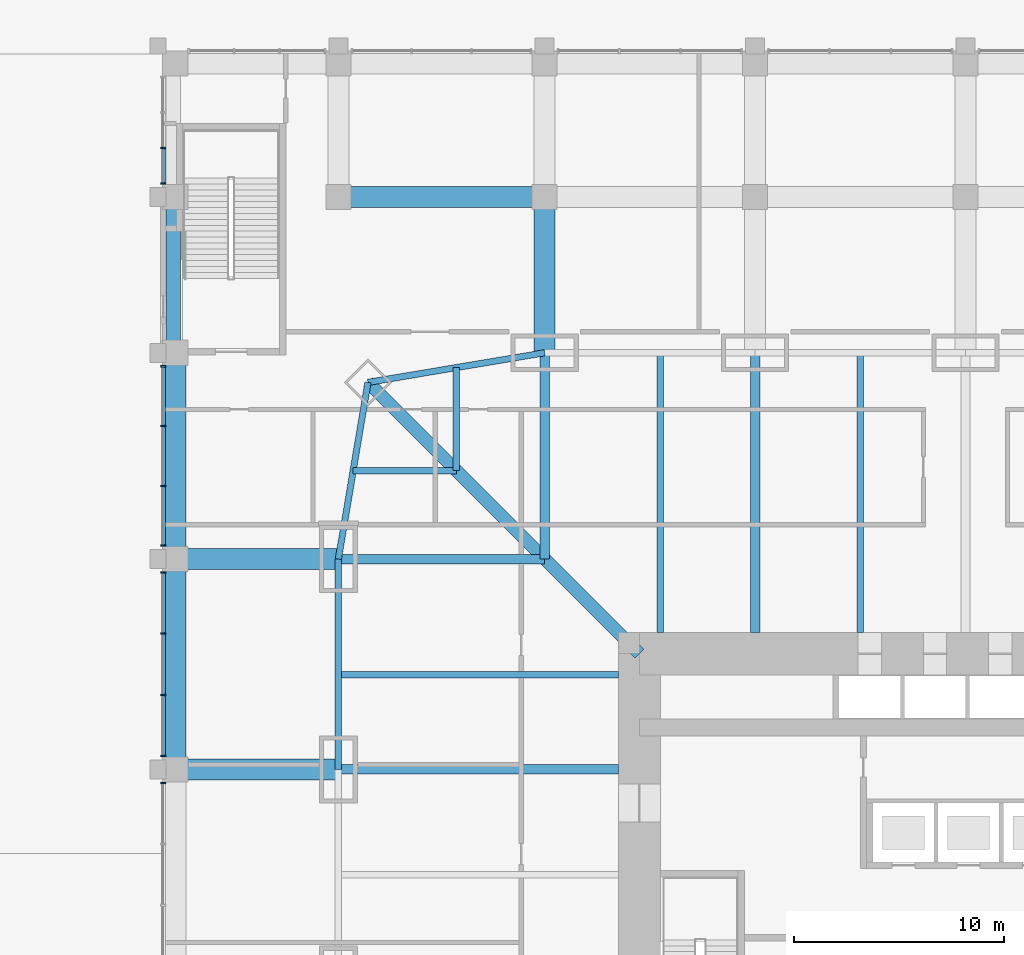
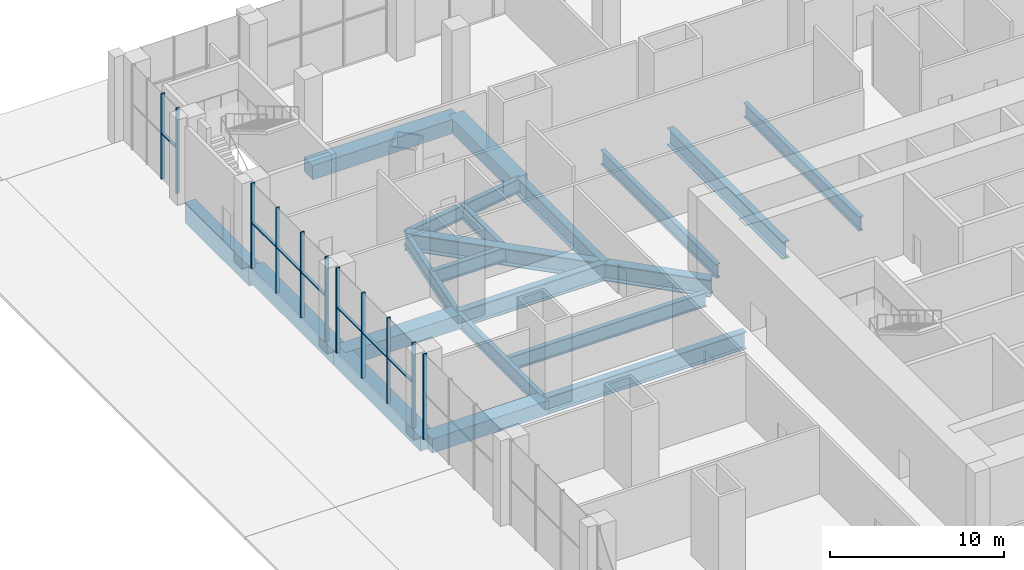
# One storey, part 11 of 31: 20 beams, 18 members, 4 elements without a shape of their own.
"""IFC4 building model written with IfcOpenShell, lengths in metres."""

from ifc_helpers import new_model, si_unit, direction, frame, origin, origin_2d, place, context, subcontext, project, spatial, rectangle, i_section, extrude, material, material_profile, profile_set, type_object, element, aggregate, save


model = new_model("IFC4")

# Units and contexts
model_context = context("Model", 3, precision=1e-05, world=origin(), true_north=direction((0.0, 1.0)))
body_context = subcontext(model_context, "Body", "Model", "MODEL_VIEW")
ifc_project = project(units=[si_unit("LENGTHUNIT", "METRE"), si_unit("AREAUNIT", "SQUARE_METRE"), si_unit("VOLUMEUNIT", "CUBIC_METRE"), si_unit("PLANEANGLEUNIT", "RADIAN"), si_unit("MASSUNIT", "GRAM", prefix="KILO")], contexts=[model_context])

# Site, building, storey
site_placement = place(None, origin())
site = spatial("IfcSite", under=ifc_project, at=site_placement, CompositionType="ELEMENT")
building_placement = place(site_placement, origin())
building = spatial("IfcBuilding", under=site, at=building_placement, Name="Khuree Lantern Residences", CompositionType="ELEMENT")
storey_placement = place(building_placement, origin())
storey = spatial("IfcBuildingStorey", under=building, at=storey_placement, Name="L00", CompositionType="ELEMENT", Elevation=0.0)

# Beams
ifc_material_1 = material(Name="Steel S355", Category="steel")
ifc_material_profile_1 = material_profile(ifc_material_1, i_section(OverallWidth=0.300048828125, OverallDepth=1.0, WebThickness=0.01904296875, FlangeThickness=0.035888671875, FilletRadius=0.030029296875, at=origin_2d()), Name="HE 1000 B")
ifc_profile_set_1 = profile_set([ifc_material_profile_1], Name="Steel S355")
beam_type_1 = type_object("IfcBeamType", Name="B-00 SECONDARY BEAM HE 1000 B", PredefinedType="BEAM", material=ifc_profile_set_1)
for number, where, z_axis, x_axis, name in (
    (1, (-14.5, 29.800048828125, -0.800048828125), (0.0, -1.0, 0.0), (1.0, 0.0, 0.0), "Secondary beam N1"),
    (2, (-5.0, 29.800048828125, -0.800048828125), (0.0, -1.0, 0.0), (1.0, 0.0, 0.0), "Secondary beam N2"),
    (3, (-29.800048828125, 14.5, -0.800048828125), (1.0, 0.0, 0.0), (0.0, 1.0, 0.0), "Secondary beam W5"),
):
    element("IfcBeam", number, at=place(storey_placement, frame(where, z_axis=z_axis, x_axis=x_axis)), inside=storey, type_object=beam_type_1, Name=name, PredefinedType="BEAM", context=body_context, shape_type="SweptSolid", body=[
        extrude(i_section(OverallWidth=0.300048828125, OverallDepth=1.0, WebThickness=0.01904296875, FlangeThickness=0.035888671875, FilletRadius=0.030029296875, at=origin_2d()), origin(), (0.0, 0.0, 1.0), 13.300048828125),
    ])
for number, where, z_axis, x_axis, name in (
    (4, (-29.09716796875, 24.197021484375, -0.800048828125), (1.0, 0.0, 0.0), (0.0, 1.0, 0.0), "Secondary beam W6"),
    (5, (-24.197021484375, 29.09716796875, -0.800048828125), (0.0, -1.0, 0.0), (1.0, 0.0, 0.0), "Secondary beam N6"),
):
    element("IfcBeam", number, at=place(storey_placement, frame(where, z_axis=z_axis, x_axis=x_axis)), inside=storey, type_object=beam_type_1, Name=name, PredefinedType="BEAM", context=body_context, shape_type="SweptSolid", body=[
        extrude(i_section(OverallWidth=0.300048828125, OverallDepth=1.0, WebThickness=0.01904296875, FlangeThickness=0.035888671875, FilletRadius=0.030029296875, at=origin_2d()), origin(), (0.0, 0.0, 1.0), 4.900146484375),
    ])
ifc_material_profile_2 = material_profile(ifc_material_1, i_section(OverallWidth=0.300048828125, OverallDepth=1.0, WebThickness=0.01904296875, FlangeThickness=0.035888671875, FilletRadius=0.030029296875, at=origin_2d()), Name="HE 1000 B")
ifc_profile_set_2 = profile_set([ifc_material_profile_2], Name="Steel S355")
beam_type_2 = type_object("IfcBeamType", Name="E-00 SPANDREL BEAM HE 1000 B", PredefinedType="SPANDREL", material=ifc_profile_set_2)
beam_1_placement = place(storey_placement, frame((-29.800048828125, 10.0, -0.800048828125), z_axis=(0.0, 1.0, 0.0), x_axis=(-1.0, 0.0, 0.0)))
element("IfcBeam", 6, at=beam_1_placement, inside=storey, type_object=beam_type_2, Name="Spandrel beam W5", PredefinedType="SPANDREL", context=body_context, shape_type="SweptSolid", body=[
    extrude(i_section(OverallWidth=0.300048828125, OverallDepth=1.0, WebThickness=0.01904296875, FlangeThickness=0.035888671875, FilletRadius=0.030029296875, at=origin_2d()), origin(), (0.0, 0.0, 1.0), 10.0),
])
for number, where, z_axis, x_axis, name in (
    (7, (-29.800048828125, 20.0, -0.800048828125), (0.165199022349, 0.986260251158, 0.0), (-0.986260251158, 0.165199022349, 0.0), "Spandrel beam W6"),
    (8, (-28.39404296875, 28.39404296875, -0.800048828125), (0.986260251158, 0.165199022349, 0.0), (-0.165199022349, 0.986260251158, 0.0), "Spandrel beam N6"),
):
    element("IfcBeam", number, at=place(storey_placement, frame(where, z_axis=z_axis, x_axis=x_axis)), inside=storey, type_object=beam_type_2, Name=name, PredefinedType="SPANDREL", context=body_context, shape_type="SweptSolid", body=[
        extrude(i_section(OverallWidth=0.300048828125, OverallDepth=1.0, WebThickness=0.01904296875, FlangeThickness=0.035888671875, FilletRadius=0.030029296875, at=origin_2d()), origin(), (0.0, 0.0, 1.0), 8.510986328125),
    ])
ifc_material_profile_3 = material_profile(ifc_material_1, i_section(OverallWidth=0.449951171875, OverallDepth=1.199951171875, WebThickness=0.02490234375, FlangeThickness=0.044921875, at=origin_2d()), Name="WELDED I 1200X450X25X45")
ifc_profile_set_3 = profile_set([ifc_material_profile_3], Name="Steel S355")
beam_type_3 = type_object("IfcBeamType", Name="G-00 GIRDER WELDED I 1200X450X25X45", PredefinedType="BEAM", material=ifc_profile_set_3)
beam_2_placement = place(storey_placement, frame((-20.0, 29.800048828125, -0.89990234375), z_axis=(0.0, -1.0, 0.0), x_axis=(1.0, 0.0, 0.0)))
element("IfcBeam", 9, at=beam_2_placement, inside=storey, type_object=beam_type_3, Name="Girder N1", PredefinedType="BEAM", context=body_context, shape_type="SweptSolid", body=[
    extrude(i_section(OverallWidth=0.449951171875, OverallDepth=1.199951171875, WebThickness=0.02490234375, FlangeThickness=0.044921875, at=origin_2d()), origin(), (0.0, 0.0, 1.0), 9.800048828125),
])
for number, where, z_axis, x_axis, name in (
    (10, (-10.0, 29.800048828125, -0.89990234375), (0.0, -1.0, 0.0), (1.0, 0.0, 0.0), "Girder N2"),
    (11, (-29.800048828125, 10.0, -0.89990234375), (1.0, 0.0, 0.0), (0.0, 1.0, 0.0), "Girder W4"),
):
    element("IfcBeam", number, at=place(storey_placement, frame(where, z_axis=z_axis, x_axis=x_axis)), inside=storey, type_object=beam_type_3, Name=name, PredefinedType="BEAM", context=body_context, shape_type="SweptSolid", body=[
        extrude(i_section(OverallWidth=0.449951171875, OverallDepth=1.199951171875, WebThickness=0.02490234375, FlangeThickness=0.044921875, at=origin_2d()), origin(), (0.0, 0.0, 1.0), 13.300048828125),
    ])
beam_3_placement = place(storey_placement, frame((-29.800048828125, 20.0, -0.89990234375), z_axis=(1.0, 0.0, 0.0), x_axis=(0.0, 1.0, 0.0)))
element("IfcBeam", 12, at=beam_3_placement, inside=storey, type_object=beam_type_3, Name="Girder W5", PredefinedType="BEAM", context=body_context, shape_type="SweptSolid", body=[
    extrude(i_section(OverallWidth=0.449951171875, OverallDepth=1.199951171875, WebThickness=0.02490234375, FlangeThickness=0.044921875, at=origin_2d()), origin(), (0.0, 0.0, 1.0), 9.800048828125),
])
ifc_material_profile_4 = material_profile(ifc_material_1, i_section(OverallWidth=0.60009765625, OverallDepth=1.199951171875, WebThickness=0.030029296875, FlangeThickness=0.06005859375, at=origin_2d()), Name="WELDED I 1200X600X30X60")
ifc_profile_set_4 = profile_set([ifc_material_profile_4], Name="Steel S355")
beam_type_4 = type_object("IfcBeamType", Name="GD-00 CORNER GIRDER WELDED I 1200X600X30X60", PredefinedType="BEAM", material=ifc_profile_set_4)
beam_4_placement = place(storey_placement, frame((-28.39404296875, 28.39404296875, -0.89990234375), z_axis=(0.707106781187, -0.707106781187, 0.0), x_axis=(0.707106781187, 0.707106781187, 0.0)))
element("IfcBeam", 13, at=beam_4_placement, inside=storey, type_object=beam_type_4, Name="Corner girder NW", PredefinedType="BEAM", context=body_context, shape_type="SweptSolid", body=[
    extrude(i_section(OverallWidth=0.60009765625, OverallDepth=1.199951171875, WebThickness=0.030029296875, FlangeThickness=0.06005859375, at=origin_2d()), origin(), (0.0, 0.0, 1.0), 18.23486328125),
])

# Curtain wall, members
ifc_material_2 = material(Name="Bronze anodised aluminium", Category="aluminium")
curtain_wall_type = type_object("IfcCurtainWallType", Name="CW-P PODIUM STOREFRONT CURTAIN WALL", PredefinedType="USERDEFINED", material=ifc_material_2)
curtain_wall_1_placement = place(storey_placement, origin())
curtain_wall_1 = element("IfcCurtainWall", 14, at=curtain_wall_1_placement, inside=storey, type_object=curtain_wall_type, Name="L00 WEST FACE BAY 1 STOREFRONT", ObjectType="Storefront curtain wall", PredefinedType="USERDEFINED")
ifc_material_profile_5 = material_profile(ifc_material_2, rectangle(XDim=0.074951171875, YDim=0.25, at=origin_2d()), Name="M5 75X250")
ifc_profile_set_5 = profile_set([ifc_material_profile_5], Name="Bronze anodised aluminium")
member_type_1 = type_object("IfcMemberType", Name="MULLION M5 STOREFRONT 75X250", PredefinedType="MULLION", material=ifc_profile_set_5)
member_1_placement = place(storey_placement, frame((-38.125, 39.529052734375, 0.0), z_axis=(0.0, 0.0, 1.0), x_axis=(0.0, -1.0, 0.0)))
member_1 = element("IfcMember", 15, at=member_1_placement, type_object=member_type_1, Name="L00 WEST FACE BAY 1 MULLION 3", PredefinedType="MULLION", context=body_context, shape_type="SweptSolid", body=[
    extrude(rectangle(XDim=0.074951171875, YDim=0.25, at=origin_2d()), origin(), (0.0, 0.0, 1.0), 6.0),
])
member_2_placement = place(storey_placement, frame((-38.125, 37.83740234375, 0.0), z_axis=(0.0, 0.0, 1.0), x_axis=(0.0, -1.0, 0.0)))
member_2 = element("IfcMember", 16, at=member_2_placement, type_object=member_type_1, Name="L00 WEST FACE BAY 1 MULLION 4", PredefinedType="MULLION", context=body_context, shape_type="SweptSolid", body=[
    extrude(rectangle(XDim=0.074951171875, YDim=0.25, at=origin_2d()), origin(), (0.0, 0.0, 1.0), 6.0),
])

curtain_wall_2_placement = place(storey_placement, origin())
curtain_wall_2 = element("IfcCurtainWall", 17, at=curtain_wall_2_placement, inside=storey, type_object=curtain_wall_type, Name="L00 WEST FACE BAY 3 STOREFRONT", ObjectType="Storefront curtain wall", PredefinedType="USERDEFINED")
member_3_placement = place(storey_placement, frame((-38.125, 29.16259765625, 0.0), z_axis=(0.0, 0.0, 1.0), x_axis=(0.0, -1.0, 0.0)))
member_3 = element("IfcMember", 18, at=member_3_placement, type_object=member_type_1, Name="L00 WEST FACE BAY 3 MULLION 1", PredefinedType="MULLION", context=body_context, shape_type="SweptSolid", body=[
    extrude(rectangle(XDim=0.074951171875, YDim=0.25, at=origin_2d()), origin(), (0.0, 0.0, 1.0), 6.0),
])
member_4_placement = place(storey_placement, frame((-38.125, 26.32080078125, 0.0), z_axis=(0.0, 0.0, 1.0), x_axis=(0.0, -1.0, 0.0)))
member_4 = element("IfcMember", 19, at=member_4_placement, type_object=member_type_1, Name="L00 WEST FACE BAY 3 MULLION 2", PredefinedType="MULLION", context=body_context, shape_type="SweptSolid", body=[
    extrude(rectangle(XDim=0.074951171875, YDim=0.25, at=origin_2d()), origin(), (0.0, 0.0, 1.0), 6.0),
])
member_5_placement = place(storey_placement, frame((-38.125, 23.479248046875, 0.0), z_axis=(0.0, 0.0, 1.0), x_axis=(0.0, -1.0, 0.0)))
member_5 = element("IfcMember", 20, at=member_5_placement, type_object=member_type_1, Name="L00 WEST FACE BAY 3 MULLION 3", PredefinedType="MULLION", context=body_context, shape_type="SweptSolid", body=[
    extrude(rectangle(XDim=0.074951171875, YDim=0.25, at=origin_2d()), origin(), (0.0, 0.0, 1.0), 6.0),
])
member_6_placement = place(storey_placement, frame((-38.125, 20.637451171875, 0.0), z_axis=(0.0, 0.0, 1.0), x_axis=(0.0, -1.0, 0.0)))
member_6 = element("IfcMember", 21, at=member_6_placement, type_object=member_type_1, Name="L00 WEST FACE BAY 3 MULLION 4", PredefinedType="MULLION", context=body_context, shape_type="SweptSolid", body=[
    extrude(rectangle(XDim=0.074951171875, YDim=0.25, at=origin_2d()), origin(), (0.0, 0.0, 1.0), 6.0),
])

curtain_wall_3_placement = place(storey_placement, origin())
curtain_wall_3 = element("IfcCurtainWall", 22, at=curtain_wall_3_placement, inside=storey, type_object=curtain_wall_type, Name="L00 WEST FACE BAY 4 STOREFRONT", ObjectType="Storefront curtain wall", PredefinedType="USERDEFINED")
member_7_placement = place(storey_placement, frame((-38.125, 19.362548828125, 0.0), z_axis=(0.0, 0.0, 1.0), x_axis=(0.0, -1.0, 0.0)))
member_7 = element("IfcMember", 23, at=member_7_placement, type_object=member_type_1, Name="L00 WEST FACE BAY 4 MULLION 1", PredefinedType="MULLION", context=body_context, shape_type="SweptSolid", body=[
    extrude(rectangle(XDim=0.074951171875, YDim=0.25, at=origin_2d()), origin(), (0.0, 0.0, 1.0), 6.0),
])
member_8_placement = place(storey_placement, frame((-38.125, 16.4541015625, 0.0), z_axis=(0.0, 0.0, 1.0), x_axis=(0.0, -1.0, 0.0)))
member_8 = element("IfcMember", 24, at=member_8_placement, type_object=member_type_1, Name="L00 WEST FACE BAY 4 MULLION 2", PredefinedType="MULLION", context=body_context, shape_type="SweptSolid", body=[
    extrude(rectangle(XDim=0.074951171875, YDim=0.25, at=origin_2d()), origin(), (0.0, 0.0, 1.0), 6.0),
])
member_9_placement = place(storey_placement, frame((-38.125, 13.5458984375, 0.0), z_axis=(0.0, 0.0, 1.0), x_axis=(0.0, -1.0, 0.0)))
member_9 = element("IfcMember", 25, at=member_9_placement, type_object=member_type_1, Name="L00 WEST FACE BAY 4 MULLION 3", PredefinedType="MULLION", context=body_context, shape_type="SweptSolid", body=[
    extrude(rectangle(XDim=0.074951171875, YDim=0.25, at=origin_2d()), origin(), (0.0, 0.0, 1.0), 6.0),
])
member_10_placement = place(storey_placement, frame((-38.125, 10.637451171875, 0.0), z_axis=(0.0, 0.0, 1.0), x_axis=(0.0, -1.0, 0.0)))
member_10 = element("IfcMember", 26, at=member_10_placement, type_object=member_type_1, Name="L00 WEST FACE BAY 4 MULLION 4", PredefinedType="MULLION", context=body_context, shape_type="SweptSolid", body=[
    extrude(rectangle(XDim=0.074951171875, YDim=0.25, at=origin_2d()), origin(), (0.0, 0.0, 1.0), 6.0),
])

# Curtain wall, member
curtain_wall_4_placement = place(storey_placement, origin())
curtain_wall_4 = element("IfcCurtainWall", 27, at=curtain_wall_4_placement, inside=storey, type_object=curtain_wall_type, Name="L00 WEST FACE BAY 5 STOREFRONT", ObjectType="Storefront curtain wall", PredefinedType="USERDEFINED")
member_11_placement = place(storey_placement, frame((-38.125, 9.362548828125, 0.0), z_axis=(0.0, 0.0, 1.0), x_axis=(0.0, -1.0, 0.0)))
member_11 = element("IfcMember", 28, at=member_11_placement, type_object=member_type_1, Name="L00 WEST FACE BAY 5 MULLION 1", PredefinedType="MULLION", context=body_context, shape_type="SweptSolid", body=[
    extrude(rectangle(XDim=0.074951171875, YDim=0.25, at=origin_2d()), origin(), (0.0, 0.0, 1.0), 6.0),
])
aggregate(curtain_wall_4, [member_11])

# Beams
ifc_material_3 = material(Name="Concrete C40/50", Category="concrete")
ifc_material_profile_6 = material_profile(ifc_material_3, rectangle(XDim=1.0, YDim=1.0, at=origin_2d()), Name="RC 1000X1000")
ifc_profile_set_6 = profile_set([ifc_material_profile_6], Name="Concrete C40/50")
beam_type_5 = type_object("IfcBeamType", Name="RB3 PODIUM BEAM RC 1000X1000", PredefinedType="BEAM", material=ifc_profile_set_6)
for number, where, z_axis, x_axis, name in (
    (29, (-37.550048828125, 10.0, -0.800048828125), (1.0, 0.0, 0.0), (0.0, 1.0, 0.0), "Podium beam RB-31"),
    (30, (-37.550048828125, 20.0, -0.800048828125), (1.0, 0.0, 0.0), (0.0, 1.0, 0.0), "Podium beam RB-34"),
):
    element("IfcBeam", number, at=place(storey_placement, frame(where, z_axis=z_axis, x_axis=x_axis)), inside=storey, type_object=beam_type_5, Name=name, PredefinedType="BEAM", context=body_context, shape_type="SweptSolid", body=[
        extrude(rectangle(XDim=1.0, YDim=1.0, at=origin_2d()), origin(), (0.0, 0.0, 1.0), 7.75),
    ])
beam_5_placement = place(storey_placement, frame((-29.800048828125, 37.199951171875, -0.800048828125), z_axis=(1.0, 0.0, 0.0), x_axis=(0.0, 1.0, 0.0)))
element("IfcBeam", 31, at=beam_5_placement, inside=storey, type_object=beam_type_5, Name="Podium beam RB-38", PredefinedType="BEAM", context=body_context, shape_type="SweptSolid", body=[
    extrude(rectangle(XDim=1.0, YDim=1.0, at=origin_2d()), origin(), (0.0, 0.0, 1.0), 9.800048828125),
])
beam_6_placement = place(storey_placement, frame((-37.550048828125, 10.0, -0.800048828125), z_axis=(0.0, 1.0, 0.0), x_axis=(-1.0, 0.0, 0.0)))
element("IfcBeam", 32, at=beam_6_placement, inside=storey, type_object=beam_type_5, Name="Podium beam RB-60", PredefinedType="BEAM", context=body_context, shape_type="SweptSolid", body=[
    extrude(rectangle(XDim=1.0, YDim=1.0, at=origin_2d()), origin(), (0.0, 0.0, 1.0), 10.0),
])
beam_7_placement = place(storey_placement, frame((-37.550048828125, 20.0, -0.800048828125), z_axis=(0.0, 1.0, 0.0), x_axis=(-1.0, 0.0, 0.0)))
element("IfcBeam", 33, at=beam_7_placement, inside=storey, type_object=beam_type_5, Name="Podium beam RB-61", PredefinedType="BEAM", context=body_context, shape_type="SweptSolid", body=[
    extrude(rectangle(XDim=1.0, YDim=1.0, at=origin_2d()), origin(), (0.0, 0.0, 1.0), 9.800048828125),
])
beam_8_placement = place(storey_placement, frame((-20.0, 29.800048828125, -0.800048828125), z_axis=(0.0, 1.0, 0.0), x_axis=(-1.0, 0.0, 0.0)))
element("IfcBeam", 34, at=beam_8_placement, inside=storey, type_object=beam_type_5, Name="Podium beam RB-71", PredefinedType="BEAM", context=body_context, shape_type="SweptSolid", body=[
    extrude(rectangle(XDim=1.0, YDim=1.0, at=origin_2d()), origin(), (0.0, 0.0, 1.0), 7.39990234375),
])
ifc_material_profile_7 = material_profile(ifc_material_3, rectangle(XDim=0.699951171875, YDim=1.429931640625, at=origin_2d()), Name="RC 700X1430")
ifc_profile_set_7 = profile_set([ifc_material_profile_7], Name="Concrete C40/50")
beam_type_6 = type_object("IfcBeamType", Name="RB7 PODIUM BEAM AT STAIR RC 700X1430", PredefinedType="BEAM", material=ifc_profile_set_7)
beam_9_placement = place(storey_placement, frame((-37.64990234375, 29.800048828125, -1.014892578125), z_axis=(0.0, 1.0, 0.0), x_axis=(-1.0, 0.0, 0.0)))
element("IfcBeam", 35, at=beam_9_placement, inside=storey, type_object=beam_type_6, Name="Podium beam at stair RB-62", PredefinedType="BEAM", context=body_context, shape_type="SweptSolid", body=[
    extrude(rectangle(XDim=0.699951171875, YDim=1.429931640625, at=origin_2d()), origin(), (0.0, 0.0, 1.0), 7.39990234375),
])

# Member
ifc_material_profile_8 = material_profile(ifc_material_2, rectangle(XDim=0.199951171875, YDim=0.074951171875, at=origin_2d()), Name="T5 200X75")
ifc_profile_set_8 = profile_set([ifc_material_profile_8], Name="Bronze anodised aluminium")
member_type_2 = type_object("IfcMemberType", Name="TRANSOM T5 STOREFRONT 200X75", PredefinedType="USERDEFINED", material=ifc_profile_set_8)
member_12_placement = place(storey_placement, frame((-38.1201171875, 39.49169921875, 3.199951171875), z_axis=(0.0, -1.0, 0.0), x_axis=(1.0, 0.0, 0.0)))
member_12 = element("IfcMember", 36, at=member_12_placement, type_object=member_type_2, Name="L00 WEST FACE BAY 1 TRANSOM 3", ObjectType="Transom", PredefinedType="USERDEFINED", context=body_context, shape_type="SweptSolid", body=[
    extrude(rectangle(XDim=0.199951171875, YDim=0.074951171875, at=origin_2d()), origin(), (0.0, 0.0, 1.0), 1.61669921875),
])

aggregate(curtain_wall_1, [member_1, member_2, member_12])

member_13_placement = place(storey_placement, frame((-38.1201171875, 29.125, 3.199951171875), z_axis=(0.0, -1.0, 0.0), x_axis=(1.0, 0.0, 0.0)))
member_13 = element("IfcMember", 37, at=member_13_placement, type_object=member_type_2, Name="L00 WEST FACE BAY 3 TRANSOM 1", ObjectType="Transom", PredefinedType="USERDEFINED", context=body_context, shape_type="SweptSolid", body=[
    extrude(rectangle(XDim=0.199951171875, YDim=0.074951171875, at=origin_2d()), origin(), (0.0, 0.0, 1.0), 2.7666015625),
])

member_14_placement = place(storey_placement, frame((-38.1201171875, 26.283447265625, 3.199951171875), z_axis=(0.0, -1.0, 0.0), x_axis=(1.0, 0.0, 0.0)))
member_14 = element("IfcMember", 38, at=member_14_placement, type_object=member_type_2, Name="L00 WEST FACE BAY 3 TRANSOM 2", ObjectType="Transom", PredefinedType="USERDEFINED", context=body_context, shape_type="SweptSolid", body=[
    extrude(rectangle(XDim=0.199951171875, YDim=0.074951171875, at=origin_2d()), origin(), (0.0, 0.0, 1.0), 2.766845703125),
])

member_15_placement = place(storey_placement, frame((-38.1201171875, 23.441650390625, 3.199951171875), z_axis=(0.0, -1.0, 0.0), x_axis=(1.0, 0.0, 0.0)))
member_15 = element("IfcMember", 39, at=member_15_placement, type_object=member_type_2, Name="L00 WEST FACE BAY 3 TRANSOM 3", ObjectType="Transom", PredefinedType="USERDEFINED", context=body_context, shape_type="SweptSolid", body=[
    extrude(rectangle(XDim=0.199951171875, YDim=0.074951171875, at=origin_2d()), origin(), (0.0, 0.0, 1.0), 2.7666015625),
])

aggregate(curtain_wall_2, [member_3, member_4, member_5, member_6, member_13, member_14, member_15])

member_16_placement = place(storey_placement, frame((-38.1201171875, 19.324951171875, 3.199951171875), z_axis=(0.0, -1.0, 0.0), x_axis=(1.0, 0.0, 0.0)))
member_16 = element("IfcMember", 40, at=member_16_placement, type_object=member_type_2, Name="L00 WEST FACE BAY 4 TRANSOM 1", ObjectType="Transom", PredefinedType="USERDEFINED", context=body_context, shape_type="SweptSolid", body=[
    extrude(rectangle(XDim=0.199951171875, YDim=0.074951171875, at=origin_2d()), origin(), (0.0, 0.0, 1.0), 2.833251953125),
])

member_17_placement = place(storey_placement, frame((-38.1201171875, 16.416748046875, 3.199951171875), z_axis=(0.0, -1.0, 0.0), x_axis=(1.0, 0.0, 0.0)))
member_17 = element("IfcMember", 41, at=member_17_placement, type_object=member_type_2, Name="L00 WEST FACE BAY 4 TRANSOM 2", ObjectType="Transom", PredefinedType="USERDEFINED", context=body_context, shape_type="SweptSolid", body=[
    extrude(rectangle(XDim=0.199951171875, YDim=0.074951171875, at=origin_2d()), origin(), (0.0, 0.0, 1.0), 2.83349609375),
])

member_18_placement = place(storey_placement, frame((-38.1201171875, 13.50830078125, 3.199951171875), z_axis=(0.0, -1.0, 0.0), x_axis=(1.0, 0.0, 0.0)))
member_18 = element("IfcMember", 42, at=member_18_placement, type_object=member_type_2, Name="L00 WEST FACE BAY 4 TRANSOM 3", ObjectType="Transom", PredefinedType="USERDEFINED", context=body_context, shape_type="SweptSolid", body=[
    extrude(rectangle(XDim=0.199951171875, YDim=0.074951171875, at=origin_2d()), origin(), (0.0, 0.0, 1.0), 2.833251953125),
])

aggregate(curtain_wall_3, [member_7, member_8, member_9, member_10, member_16, member_17, member_18])

save(model, "model.ifc")
